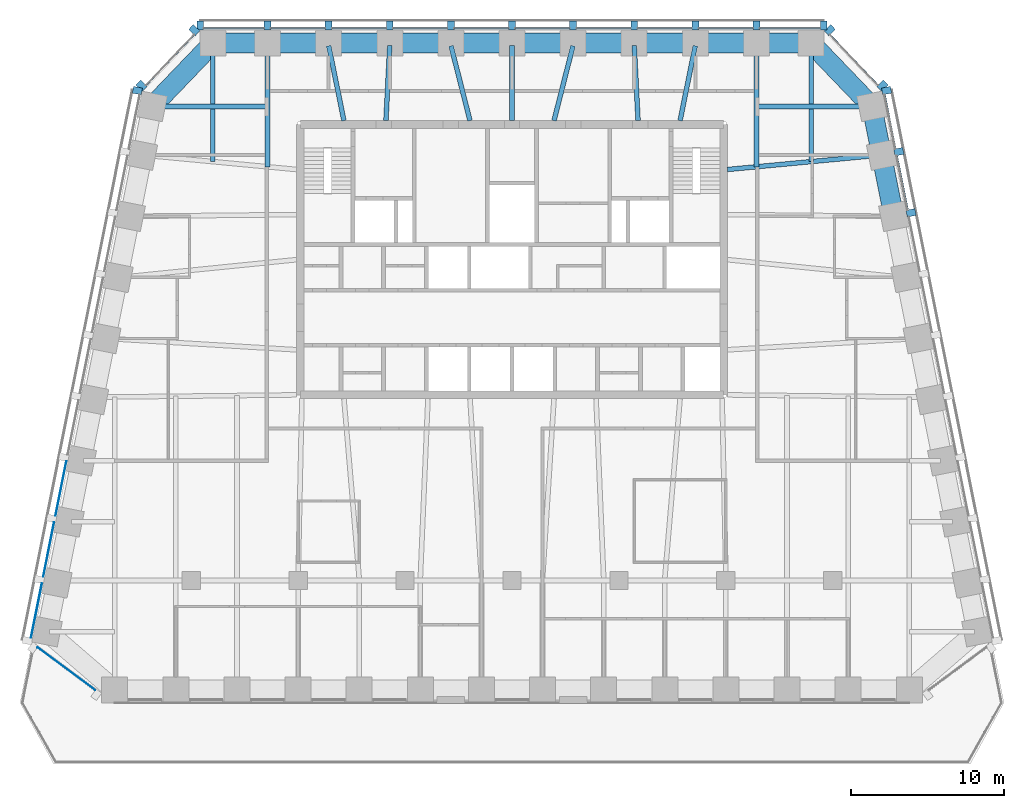
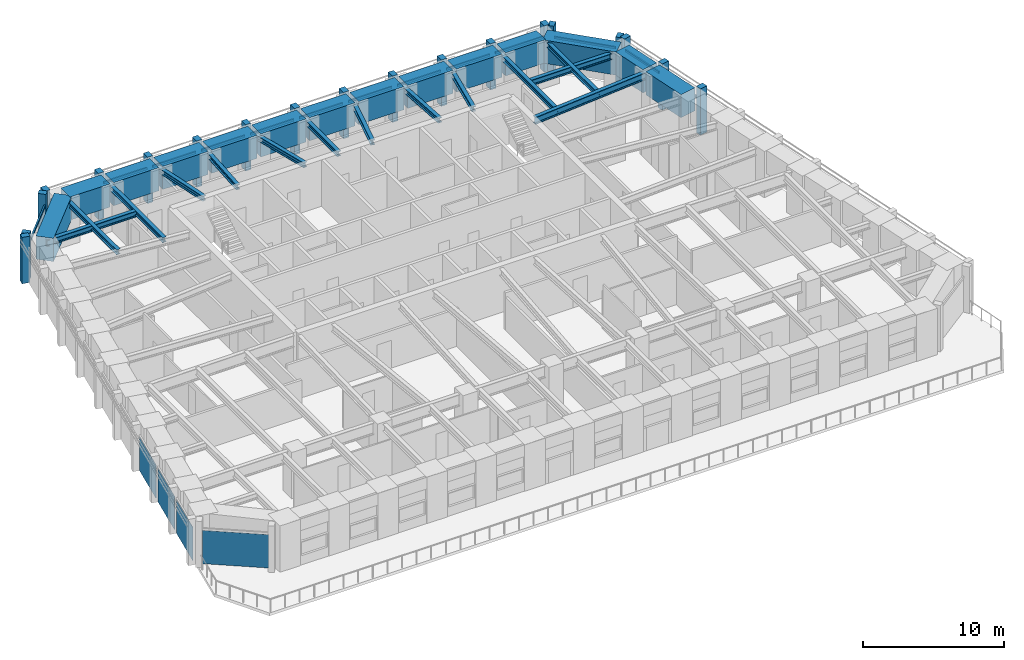
# One storey, part 3 of 10: 33 members, 28 beams, 4 plates, 6 elements without a shape of their own.
"""IFC4 building model written with IfcOpenShell, lengths in metres."""

from ifc_helpers import new_model, si_unit, direction, frame, origin, origin_2d, place, context, subcontext, project, spatial, rectangle, i_section, extrude, material, layer, layer_set, material_profile, profile_set, type_object, element, aggregate, save


model = new_model("IFC4")

# Units and contexts
model_context = context("Model", 3, precision=1e-05, world=origin(), true_north=direction((0.0, 1.0)))
body_context = subcontext(model_context, "Body", "Model", "MODEL_VIEW")
ifc_project = project(units=[si_unit("LENGTHUNIT", "METRE"), si_unit("AREAUNIT", "SQUARE_METRE"), si_unit("VOLUMEUNIT", "CUBIC_METRE"), si_unit("PLANEANGLEUNIT", "RADIAN"), si_unit("MASSUNIT", "GRAM", prefix="KILO")], contexts=[model_context])

# Site, building, storey
site_placement = place(None, origin())
site = spatial("IfcSite", under=ifc_project, at=site_placement, CompositionType="ELEMENT")
building_placement = place(site_placement, origin())
building = spatial("IfcBuilding", under=site, at=building_placement, Name="Isbrekke Arena Tower", CompositionType="ELEMENT")
storey_placement = place(building_placement, frame((0.0, 0.0, 260.0)))
storey = spatial("IfcBuildingStorey", under=building, at=storey_placement, Name="L60", CompositionType="ELEMENT", Elevation=260.0)

# Beams
ifc_material_1 = material(Name="Steel S355", Category="steel")
ifc_material_profile_1 = material_profile(ifc_material_1, i_section(OverallWidth=0.304931640625, OverallDepth=0.6201171875, WebThickness=0.02099609375, FlangeThickness=0.0400390625, FilletRadius=0.027099609375, at=origin_2d()), Name="HEM 600")
ifc_profile_set_1 = profile_set([ifc_material_profile_1], Name="Steel S355")
beam_type_1 = type_object("IfcBeamType", Name="B4 HEM 600", PredefinedType="BEAM", material=ifc_profile_set_1)
beam_1_placement = place(storey_placement, frame((24.02685546875, 21.8369140625, 3.5400390625), z_axis=(-0.995574576627, -0.093974796485, 0.0), x_axis=(0.093974796485, -0.995574576627, 0.0)))
element("IfcBeam", 1, at=beam_1_placement, inside=storey, type_object=beam_type_1, Name="B4 beam E-E09 L60", PredefinedType="BEAM", context=body_context, shape_type="SweptSolid", body=[
    extrude(i_section(OverallWidth=0.304931640625, OverallDepth=0.6201171875, WebThickness=0.02099609375, FlangeThickness=0.0400390625, FilletRadius=0.027099609375, at=origin_2d()), origin(), (0.0, 0.0, 1.0), 9.970947265625),
])
ifc_material_2 = material(Name="Steel S355", Category="steel")
ifc_material_profile_2 = material_profile(ifc_material_2, i_section(OverallWidth=0.305908203125, OverallDepth=0.52392578125, WebThickness=0.02099609375, FlangeThickness=0.0400390625, FilletRadius=0.027099609375, at=origin_2d()), Name="HEM 500")
ifc_profile_set_2 = profile_set([ifc_material_profile_2], Name="Steel S355")
beam_type_2 = type_object("IfcBeamType", Name="B5 HEM 500", PredefinedType="BEAM", material=ifc_profile_set_2)
for number, where, z_axis, x_axis, name in (
    (2, (23.40283203125, 25.029296875, 3.587890625), (-1.0, 0.0, 0.0), (0.0, -1.0, 0.0), "B5 beam E-E10 L60"),
    (3, (-23.40283203125, 25.029296875, 3.587890625), (1.0, 0.0, 0.0), (0.0, 1.0, 0.0), "B5 beam E-W01 L60"),
):
    element("IfcBeam", number, at=place(storey_placement, frame(where, z_axis=z_axis, x_axis=x_axis)), inside=storey, type_object=beam_type_2, Name=name, PredefinedType="BEAM", context=body_context, shape_type="SweptSolid", body=[
        extrude(i_section(OverallWidth=0.305908203125, OverallDepth=0.52392578125, WebThickness=0.02099609375, FlangeThickness=0.0400390625, FilletRadius=0.027099609375, at=origin_2d()), origin(), (0.0, 0.0, 1.0), 7.40283203125),
    ])
ifc_material_3 = material(Name="Steel S355", Category="steel")
ifc_material_profile_3 = material_profile(ifc_material_3, i_section(OverallWidth=0.306884765625, OverallDepth=0.431884765625, WebThickness=0.02099609375, FlangeThickness=0.0400390625, FilletRadius=0.027099609375, at=origin_2d()), Name="HEM 400")
ifc_profile_set_3 = profile_set([ifc_material_profile_3], Name="Steel S355")
beam_type_3 = type_object("IfcBeamType", Name="B6 HEM 400", PredefinedType="BEAM", material=ifc_profile_set_3)
beam_2_placement = place(storey_placement, frame((19.574951171875, 29.02490234375, 3.634033203125), z_axis=(0.0, -1.0, 0.0), x_axis=(1.0, 0.0, 0.0)))
element("IfcBeam", 4, at=beam_2_placement, inside=storey, type_object=beam_type_3, Name="B6 beam N-N01 L60", PredefinedType="BEAM", context=body_context, shape_type="SweptSolid", body=[
    extrude(i_section(OverallWidth=0.306884765625, OverallDepth=0.431884765625, WebThickness=0.02099609375, FlangeThickness=0.0400390625, FilletRadius=0.027099609375, at=origin_2d()), origin(), (0.0, 0.0, 1.0), 7.608154296875),
])
for number, where, z_axis, x_axis, name in (
    (5, (16.0, 29.02490234375, 3.634033203125), (0.0, -1.0, 0.0), (1.0, 0.0, 0.0), "B6 beam N-N02 L60"),
    (6, (-16.0, 29.02490234375, 3.634033203125), (0.0, -1.0, 0.0), (1.0, 0.0, 0.0), "B6 beam N-N10 L60"),
):
    element("IfcBeam", number, at=place(storey_placement, frame(where, z_axis=z_axis, x_axis=x_axis)), inside=storey, type_object=beam_type_3, Name=name, PredefinedType="BEAM", context=body_context, shape_type="SweptSolid", body=[
        extrude(i_section(OverallWidth=0.306884765625, OverallDepth=0.431884765625, WebThickness=0.02099609375, FlangeThickness=0.0400390625, FilletRadius=0.027099609375, at=origin_2d()), origin(), (0.0, 0.0, 1.0), 7.945556640625),
    ])
beam_3_placement = place(storey_placement, frame((-19.574951171875, 29.02490234375, 3.634033203125), z_axis=(0.0, -1.0, 0.0), x_axis=(1.0, 0.0, 0.0)))
element("IfcBeam", 7, at=beam_3_placement, inside=storey, type_object=beam_type_3, Name="B6 beam N-N11 L60", PredefinedType="BEAM", context=body_context, shape_type="SweptSolid", body=[
    extrude(i_section(OverallWidth=0.306884765625, OverallDepth=0.431884765625, WebThickness=0.02099609375, FlangeThickness=0.0400390625, FilletRadius=0.027099609375, at=origin_2d()), origin(), (0.0, 0.0, 1.0), 7.608154296875),
])
beam_4_placement = place(storey_placement, frame((11.993896484375, 28.9951171875, 3.634033203125), z_axis=(-0.198982177337, -0.980003108721, 0.0), x_axis=(0.980003108721, -0.198982177337, 0.0)))
element("IfcBeam", 8, at=beam_4_placement, inside=storey, type_object=beam_type_3, Name="B6 beam N-N03 L60", PredefinedType="BEAM", context=body_context, shape_type="SweptSolid", body=[
    extrude(i_section(OverallWidth=0.306884765625, OverallDepth=0.431884765625, WebThickness=0.02099609375, FlangeThickness=0.0400390625, FilletRadius=0.027099609375, at=origin_2d()), origin(), (0.0, 0.0, 1.0), 4.994873046875),
])
beam_5_placement = place(storey_placement, frame((8.00048828125, 29.017333984375, 3.634033203125), z_axis=(0.050677067868, -0.998715091902, 0.0), x_axis=(0.998715091902, 0.050677067868, 0.0)))
element("IfcBeam", 9, at=beam_5_placement, inside=storey, type_object=beam_type_3, Name="B6 beam N-N04 L60", PredefinedType="BEAM", context=body_context, shape_type="SweptSolid", body=[
    extrude(i_section(OverallWidth=0.306884765625, OverallDepth=0.431884765625, WebThickness=0.02099609375, FlangeThickness=0.0400390625, FilletRadius=0.027099609375, at=origin_2d()), origin(), (0.0, 0.0, 1.0), 4.923583984375),
])
beam_6_placement = place(storey_placement, frame((3.99072265625, 28.98828125, 3.634033203125), z_axis=(-0.246019579109, -0.969264858898, 0.0), x_axis=(0.969264858898, -0.246019579109, 0.0)))
element("IfcBeam", 10, at=beam_6_placement, inside=storey, type_object=beam_type_3, Name="B6 beam N-N05 L60", PredefinedType="BEAM", context=body_context, shape_type="SweptSolid", body=[
    extrude(i_section(OverallWidth=0.306884765625, OverallDepth=0.431884765625, WebThickness=0.02099609375, FlangeThickness=0.0400390625, FilletRadius=0.027099609375, at=origin_2d()), origin(), (0.0, 0.0, 1.0), 5.043212890625),
])
beam_7_placement = place(storey_placement, frame((0.0, 29.02490234375, 3.634033203125), z_axis=(0.0, -1.0, 0.0), x_axis=(1.0, 0.0, 0.0)))
element("IfcBeam", 11, at=beam_7_placement, inside=storey, type_object=beam_type_3, Name="B6 beam N-N06 L60", PredefinedType="BEAM", context=body_context, shape_type="SweptSolid", body=[
    extrude(i_section(OverallWidth=0.306884765625, OverallDepth=0.431884765625, WebThickness=0.02099609375, FlangeThickness=0.0400390625, FilletRadius=0.027099609375, at=origin_2d()), origin(), (0.0, 0.0, 1.0), 4.9248046875),
])
beam_8_placement = place(storey_placement, frame((-3.99072265625, 28.98828125, 3.634033203125), z_axis=(0.246019579109, -0.969264858898, 0.0), x_axis=(0.969264858898, 0.246019579109, 0.0)))
element("IfcBeam", 12, at=beam_8_placement, inside=storey, type_object=beam_type_3, Name="B6 beam N-N07 L60", PredefinedType="BEAM", context=body_context, shape_type="SweptSolid", body=[
    extrude(i_section(OverallWidth=0.306884765625, OverallDepth=0.431884765625, WebThickness=0.02099609375, FlangeThickness=0.0400390625, FilletRadius=0.027099609375, at=origin_2d()), origin(), (0.0, 0.0, 1.0), 5.043212890625),
])
beam_9_placement = place(storey_placement, frame((-8.00048828125, 29.017333984375, 3.634033203125), z_axis=(-0.050677067868, -0.998715091902, 0.0), x_axis=(0.998715091902, -0.050677067868, 0.0)))
element("IfcBeam", 13, at=beam_9_placement, inside=storey, type_object=beam_type_3, Name="B6 beam N-N08 L60", PredefinedType="BEAM", context=body_context, shape_type="SweptSolid", body=[
    extrude(i_section(OverallWidth=0.306884765625, OverallDepth=0.431884765625, WebThickness=0.02099609375, FlangeThickness=0.0400390625, FilletRadius=0.027099609375, at=origin_2d()), origin(), (0.0, 0.0, 1.0), 4.923583984375),
])
beam_10_placement = place(storey_placement, frame((-11.993896484375, 28.9951171875, 3.634033203125), z_axis=(0.198982177337, -0.980003108721, 0.0), x_axis=(0.980003108721, 0.198982177337, 0.0)))
element("IfcBeam", 14, at=beam_10_placement, inside=storey, type_object=beam_type_3, Name="B6 beam N-N09 L60", PredefinedType="BEAM", context=body_context, shape_type="SweptSolid", body=[
    extrude(i_section(OverallWidth=0.306884765625, OverallDepth=0.431884765625, WebThickness=0.02099609375, FlangeThickness=0.0400390625, FilletRadius=0.027099609375, at=origin_2d()), origin(), (0.0, 0.0, 1.0), 4.994873046875),
])

# Curtain wall, members
ifc_material_4 = material(Name="Glazed aluminium curtain wall", Category="aluminium")
curtain_wall_type = type_object("IfcCurtainWallType", Name="CWT TOWER CURTAIN WALL TOP ZONE", PredefinedType="USERDEFINED", material=ifc_material_4)
curtain_wall_1_placement = place(storey_placement, origin())
curtain_wall_1 = element("IfcCurtainWall", 15, at=curtain_wall_1_placement, inside=storey, type_object=curtain_wall_type, Name="CWT curtain wall L60-E", ObjectType="TOWER CURTAIN WALL TOP ZONE", PredefinedType="USERDEFINED")
ifc_material_5 = material(Name="Copper-clad aluminium mullion", Category="aluminium")
ifc_material_profile_4 = material_profile(ifc_material_5, rectangle(XDim=0.449951171875, YDim=0.60009765625, at=origin_2d()), Name="PIER 450X600")
ifc_profile_set_4 = profile_set([ifc_material_profile_4], Name="Copper-clad aluminium mullion")
member_type_1 = type_object("IfcMemberType", Name="CWT-M PIER MULLION 450 x 600", PredefinedType="MULLION", material=ifc_profile_set_4)
member_1_placement = place(storey_placement, frame((26.11865234375, 18.063720703125, 0.0), z_axis=(0.0, 0.0, 1.0), x_axis=(-0.196116135138, 0.980580675691, 0.0)))
member_1 = element("IfcMember", 16, at=member_1_placement, type_object=member_type_1, Name="CWT-M mullion 8", PredefinedType="MULLION", context=body_context, shape_type="SweptSolid", body=[
    extrude(rectangle(XDim=0.449951171875, YDim=0.60009765625, at=origin_2d()), origin(), (0.0, 0.0, 1.0), 4.0),
])
member_2_placement = place(storey_placement, frame((25.318603515625, 22.063720703125, 0.0), z_axis=(0.0, 0.0, 1.0), x_axis=(-0.196116135138, 0.980580675691, 0.0)))
member_2 = element("IfcMember", 17, at=member_2_placement, type_object=member_type_1, Name="CWT-M mullion 9", PredefinedType="MULLION", context=body_context, shape_type="SweptSolid", body=[
    extrude(rectangle(XDim=0.449951171875, YDim=0.60009765625, at=origin_2d()), origin(), (0.0, 0.0, 1.0), 4.0),
])
member_3_placement = place(storey_placement, frame((24.518798828125, 26.063720703125, 0.0), z_axis=(0.0, 0.0, 1.0), x_axis=(-0.196116135138, 0.980580675691, 0.0)))
member_3 = element("IfcMember", 18, at=member_3_placement, type_object=member_type_1, Name="CWT-M mullion 10", PredefinedType="MULLION", context=body_context, shape_type="SweptSolid", body=[
    extrude(rectangle(XDim=0.449951171875, YDim=0.60009765625, at=origin_2d()), origin(), (0.0, 0.0, 1.0), 4.0),
])

curtain_wall_2_placement = place(storey_placement, origin())
curtain_wall_2 = element("IfcCurtainWall", 19, at=curtain_wall_2_placement, inside=storey, type_object=curtain_wall_type, Name="CWT curtain wall L60-EN", ObjectType="TOWER CURTAIN WALL TOP ZONE", PredefinedType="USERDEFINED")
member_4_placement = place(storey_placement, frame((24.244384765625, 26.388671875, 0.0), z_axis=(0.0, 0.0, 1.0), x_axis=(-0.68874946192, 0.72499943359, 0.0)))
member_4 = element("IfcMember", 20, at=member_4_placement, type_object=member_type_1, Name="CWT-M mullion 1", PredefinedType="MULLION", context=body_context, shape_type="SweptSolid", body=[
    extrude(rectangle(XDim=0.449951171875, YDim=0.60009765625, at=origin_2d()), origin(), (0.0, 0.0, 1.0), 4.0),
])
member_5_placement = place(storey_placement, frame((20.795166015625, 30.019775390625, 0.0), z_axis=(0.0, 0.0, 1.0), x_axis=(-0.68874946192, 0.72499943359, 0.0)))
member_5 = element("IfcMember", 21, at=member_5_placement, type_object=member_type_1, Name="CWT-M mullion 2", PredefinedType="MULLION", context=body_context, shape_type="SweptSolid", body=[
    extrude(rectangle(XDim=0.449951171875, YDim=0.60009765625, at=origin_2d()), origin(), (0.0, 0.0, 1.0), 4.0),
])

curtain_wall_3_placement = place(storey_placement, origin())
curtain_wall_3 = element("IfcCurtainWall", 22, at=curtain_wall_3_placement, inside=storey, type_object=curtain_wall_type, Name="CWT curtain wall L60-N", ObjectType="TOWER CURTAIN WALL TOP ZONE", PredefinedType="USERDEFINED")
member_6_placement = place(storey_placement, frame((20.39990234375, 30.324951171875, 0.0), z_axis=(0.0, 0.0, 1.0), x_axis=(-1.0, 0.0, 0.0)))
member_6 = element("IfcMember", 23, at=member_6_placement, type_object=member_type_1, Name="CWT-M mullion 1", PredefinedType="MULLION", context=body_context, shape_type="SweptSolid", body=[
    extrude(rectangle(XDim=0.449951171875, YDim=0.60009765625, at=origin_2d()), origin(), (0.0, 0.0, 1.0), 4.0),
])
member_7_placement = place(storey_placement, frame((16.0, 30.324951171875, 0.0), z_axis=(0.0, 0.0, 1.0), x_axis=(-1.0, 0.0, 0.0)))
member_7 = element("IfcMember", 24, at=member_7_placement, type_object=member_type_1, Name="CWT-M mullion 2", PredefinedType="MULLION", context=body_context, shape_type="SweptSolid", body=[
    extrude(rectangle(XDim=0.449951171875, YDim=0.60009765625, at=origin_2d()), origin(), (0.0, 0.0, 1.0), 4.0),
])
member_8_placement = place(storey_placement, frame((12.0, 30.324951171875, 0.0), z_axis=(0.0, 0.0, 1.0), x_axis=(-1.0, 0.0, 0.0)))
member_8 = element("IfcMember", 25, at=member_8_placement, type_object=member_type_1, Name="CWT-M mullion 3", PredefinedType="MULLION", context=body_context, shape_type="SweptSolid", body=[
    extrude(rectangle(XDim=0.449951171875, YDim=0.60009765625, at=origin_2d()), origin(), (0.0, 0.0, 1.0), 4.0),
])
member_9_placement = place(storey_placement, frame((8.0, 30.324951171875, 0.0), z_axis=(0.0, 0.0, 1.0), x_axis=(-1.0, 0.0, 0.0)))
member_9 = element("IfcMember", 26, at=member_9_placement, type_object=member_type_1, Name="CWT-M mullion 4", PredefinedType="MULLION", context=body_context, shape_type="SweptSolid", body=[
    extrude(rectangle(XDim=0.449951171875, YDim=0.60009765625, at=origin_2d()), origin(), (0.0, 0.0, 1.0), 4.0),
])
member_10_placement = place(storey_placement, frame((4.0, 30.324951171875, 0.0), z_axis=(0.0, 0.0, 1.0), x_axis=(-1.0, 0.0, 0.0)))
member_10 = element("IfcMember", 27, at=member_10_placement, type_object=member_type_1, Name="CWT-M mullion 5", PredefinedType="MULLION", context=body_context, shape_type="SweptSolid", body=[
    extrude(rectangle(XDim=0.449951171875, YDim=0.60009765625, at=origin_2d()), origin(), (0.0, 0.0, 1.0), 4.0),
])
member_11_placement = place(storey_placement, frame((0.0, 30.324951171875, 0.0), z_axis=(0.0, 0.0, 1.0), x_axis=(-1.0, 0.0, 0.0)))
member_11 = element("IfcMember", 28, at=member_11_placement, type_object=member_type_1, Name="CWT-M mullion 6", PredefinedType="MULLION", context=body_context, shape_type="SweptSolid", body=[
    extrude(rectangle(XDim=0.449951171875, YDim=0.60009765625, at=origin_2d()), origin(), (0.0, 0.0, 1.0), 4.0),
])
member_12_placement = place(storey_placement, frame((-4.0, 30.324951171875, 0.0), z_axis=(0.0, 0.0, 1.0), x_axis=(-1.0, 0.0, 0.0)))
member_12 = element("IfcMember", 29, at=member_12_placement, type_object=member_type_1, Name="CWT-M mullion 7", PredefinedType="MULLION", context=body_context, shape_type="SweptSolid", body=[
    extrude(rectangle(XDim=0.449951171875, YDim=0.60009765625, at=origin_2d()), origin(), (0.0, 0.0, 1.0), 4.0),
])
member_13_placement = place(storey_placement, frame((-8.0, 30.324951171875, 0.0), z_axis=(0.0, 0.0, 1.0), x_axis=(-1.0, 0.0, 0.0)))
member_13 = element("IfcMember", 30, at=member_13_placement, type_object=member_type_1, Name="CWT-M mullion 8", PredefinedType="MULLION", context=body_context, shape_type="SweptSolid", body=[
    extrude(rectangle(XDim=0.449951171875, YDim=0.60009765625, at=origin_2d()), origin(), (0.0, 0.0, 1.0), 4.0),
])
member_14_placement = place(storey_placement, frame((-12.0, 30.324951171875, 0.0), z_axis=(0.0, 0.0, 1.0), x_axis=(-1.0, 0.0, 0.0)))
member_14 = element("IfcMember", 31, at=member_14_placement, type_object=member_type_1, Name="CWT-M mullion 9", PredefinedType="MULLION", context=body_context, shape_type="SweptSolid", body=[
    extrude(rectangle(XDim=0.449951171875, YDim=0.60009765625, at=origin_2d()), origin(), (0.0, 0.0, 1.0), 4.0),
])
member_15_placement = place(storey_placement, frame((-16.0, 30.324951171875, 0.0), z_axis=(0.0, 0.0, 1.0), x_axis=(-1.0, 0.0, 0.0)))
member_15 = element("IfcMember", 32, at=member_15_placement, type_object=member_type_1, Name="CWT-M mullion 10", PredefinedType="MULLION", context=body_context, shape_type="SweptSolid", body=[
    extrude(rectangle(XDim=0.449951171875, YDim=0.60009765625, at=origin_2d()), origin(), (0.0, 0.0, 1.0), 4.0),
])
member_16_placement = place(storey_placement, frame((-20.39990234375, 30.324951171875, 0.0), z_axis=(0.0, 0.0, 1.0), x_axis=(-1.0, 0.0, 0.0)))
member_16 = element("IfcMember", 33, at=member_16_placement, type_object=member_type_1, Name="CWT-M mullion 11", PredefinedType="MULLION", context=body_context, shape_type="SweptSolid", body=[
    extrude(rectangle(XDim=0.449951171875, YDim=0.60009765625, at=origin_2d()), origin(), (0.0, 0.0, 1.0), 4.0),
])

curtain_wall_4_placement = place(storey_placement, origin())
curtain_wall_4 = element("IfcCurtainWall", 34, at=curtain_wall_4_placement, inside=storey, type_object=curtain_wall_type, Name="CWT curtain wall L60-NW", ObjectType="TOWER CURTAIN WALL TOP ZONE", PredefinedType="USERDEFINED")
member_17_placement = place(storey_placement, frame((-20.795166015625, 30.01953125, 0.0), z_axis=(0.0, 0.0, 1.0), x_axis=(-0.68874946192, -0.72499943359, 0.0)))
member_17 = element("IfcMember", 35, at=member_17_placement, type_object=member_type_1, Name="CWT-M mullion 1", PredefinedType="MULLION", context=body_context, shape_type="SweptSolid", body=[
    extrude(rectangle(XDim=0.449951171875, YDim=0.60009765625, at=origin_2d()), origin(), (0.0, 0.0, 1.0), 4.0),
])
member_18_placement = place(storey_placement, frame((-24.243896484375, 26.389404296875, 0.0), z_axis=(0.0, 0.0, 1.0), x_axis=(-0.68874946192, -0.72499943359, 0.0)))
member_18 = element("IfcMember", 36, at=member_18_placement, type_object=member_type_1, Name="CWT-M mullion 2", PredefinedType="MULLION", context=body_context, shape_type="SweptSolid", body=[
    extrude(rectangle(XDim=0.449951171875, YDim=0.60009765625, at=origin_2d()), origin(), (0.0, 0.0, 1.0), 4.0),
])

# Curtain wall, member
curtain_wall_5_placement = place(storey_placement, origin())
curtain_wall_5 = element("IfcCurtainWall", 37, at=curtain_wall_5_placement, inside=storey, type_object=curtain_wall_type, Name="CWT curtain wall L60-W", ObjectType="TOWER CURTAIN WALL TOP ZONE", PredefinedType="USERDEFINED")
member_19_placement = place(storey_placement, frame((-24.518798828125, 26.063720703125, 0.0), z_axis=(0.0, 0.0, 1.0), x_axis=(-0.196116135138, -0.980580675691, 0.0)))
member_19 = element("IfcMember", 38, at=member_19_placement, type_object=member_type_1, Name="CWT-M mullion 1", PredefinedType="MULLION", context=body_context, shape_type="SweptSolid", body=[
    extrude(rectangle(XDim=0.449951171875, YDim=0.60009765625, at=origin_2d()), origin(), (0.0, 0.0, 1.0), 4.0),
])

# Member
ifc_material_6 = material(Name="Aluminium transom", Category="aluminium")
ifc_material_profile_5 = material_profile(ifc_material_6, rectangle(XDim=0.1201171875, YDim=0.199951171875, at=origin_2d()), Name="TRANSOM 120X200")
ifc_profile_set_5 = profile_set([ifc_material_profile_5], Name="Aluminium transom")
member_type_2 = type_object("IfcMemberType", Name="CWT-T TRANSOM 120 x 200", PredefinedType="USERDEFINED", material=ifc_profile_set_5)
member_20_placement = place(storey_placement, frame((25.87841796875, 18.2451171875, 3.0), z_axis=(-0.196090262229, 0.980585849918, 0.0), x_axis=(-0.980585849918, -0.196090262229, 0.0)))
member_20 = element("IfcMember", 39, at=member_20_placement, type_object=member_type_2, Name="CWT-T transom 8", ObjectType="TRANSOM", PredefinedType="USERDEFINED", context=body_context, shape_type="SweptSolid", body=[
    extrude(rectangle(XDim=0.1201171875, YDim=0.199951171875, at=origin_2d()), origin(), (0.0, 0.0, 1.0), 3.62939453125),
])

member_21_placement = place(storey_placement, frame((25.078369140625, 22.2451171875, 3.0), z_axis=(-0.196090262229, 0.980585849918, 0.0), x_axis=(-0.980585849918, -0.196090262229, 0.0)))
member_21 = element("IfcMember", 40, at=member_21_placement, type_object=member_type_2, Name="CWT-T transom 9", ObjectType="TRANSOM", PredefinedType="USERDEFINED", context=body_context, shape_type="SweptSolid", body=[
    extrude(rectangle(XDim=0.1201171875, YDim=0.199951171875, at=origin_2d()), origin(), (0.0, 0.0, 1.0), 3.62939453125),
])

aggregate(curtain_wall_1, [member_1, member_2, member_3, member_20, member_21])

member_22_placement = place(storey_placement, frame((23.944580078125, 26.4140625, 3.0), z_axis=(-0.688771983213, 0.724978037696, 0.0), x_axis=(-0.724978037696, -0.688771983213, 0.0)))
member_22 = element("IfcMember", 41, at=member_22_placement, type_object=member_type_2, Name="CWT-T transom 1", ObjectType="TRANSOM", PredefinedType="USERDEFINED", context=body_context, shape_type="SweptSolid", body=[
    extrude(rectangle(XDim=0.1201171875, YDim=0.199951171875, at=origin_2d()), origin(), (0.0, 0.0, 1.0), 4.558349609375),
])

aggregate(curtain_wall_2, [member_4, member_5, member_22])

member_23_placement = place(storey_placement, frame((20.175048828125, 30.125, 3.0), z_axis=(-1.0, 0.0, 0.0), x_axis=(0.0, -1.0, 0.0)))
member_23 = element("IfcMember", 42, at=member_23_placement, type_object=member_type_2, Name="CWT-T transom 1", ObjectType="TRANSOM", PredefinedType="USERDEFINED", context=body_context, shape_type="SweptSolid", body=[
    extrude(rectangle(XDim=0.1201171875, YDim=0.199951171875, at=origin_2d()), origin(), (0.0, 0.0, 1.0), 3.949951171875),
])

member_24_placement = place(storey_placement, frame((15.77490234375, 30.125, 3.0), z_axis=(-1.0, 0.0, 0.0), x_axis=(0.0, -1.0, 0.0)))
member_24 = element("IfcMember", 43, at=member_24_placement, type_object=member_type_2, Name="CWT-T transom 2", ObjectType="TRANSOM", PredefinedType="USERDEFINED", context=body_context, shape_type="SweptSolid", body=[
    extrude(rectangle(XDim=0.1201171875, YDim=0.199951171875, at=origin_2d()), origin(), (0.0, 0.0, 1.0), 3.5498046875),
])

member_25_placement = place(storey_placement, frame((11.77490234375, 30.125, 3.0), z_axis=(-1.0, 0.0, 0.0), x_axis=(0.0, -1.0, 0.0)))
member_25 = element("IfcMember", 44, at=member_25_placement, type_object=member_type_2, Name="CWT-T transom 3", ObjectType="TRANSOM", PredefinedType="USERDEFINED", context=body_context, shape_type="SweptSolid", body=[
    extrude(rectangle(XDim=0.1201171875, YDim=0.199951171875, at=origin_2d()), origin(), (0.0, 0.0, 1.0), 3.5498046875),
])

member_26_placement = place(storey_placement, frame((7.77490234375, 30.125, 3.0), z_axis=(-1.0, 0.0, 0.0), x_axis=(0.0, -1.0, 0.0)))
member_26 = element("IfcMember", 45, at=member_26_placement, type_object=member_type_2, Name="CWT-T transom 4", ObjectType="TRANSOM", PredefinedType="USERDEFINED", context=body_context, shape_type="SweptSolid", body=[
    extrude(rectangle(XDim=0.1201171875, YDim=0.199951171875, at=origin_2d()), origin(), (0.0, 0.0, 1.0), 3.5498046875),
])

member_27_placement = place(storey_placement, frame((3.77490234375, 30.125, 3.0), z_axis=(-1.0, 0.0, 0.0), x_axis=(0.0, -1.0, 0.0)))
member_27 = element("IfcMember", 46, at=member_27_placement, type_object=member_type_2, Name="CWT-T transom 5", ObjectType="TRANSOM", PredefinedType="USERDEFINED", context=body_context, shape_type="SweptSolid", body=[
    extrude(rectangle(XDim=0.1201171875, YDim=0.199951171875, at=origin_2d()), origin(), (0.0, 0.0, 1.0), 3.5498046875),
])

member_28_placement = place(storey_placement, frame((-0.22509765625, 30.125, 3.0), z_axis=(-1.0, 0.0, 0.0), x_axis=(0.0, -1.0, 0.0)))
member_28 = element("IfcMember", 47, at=member_28_placement, type_object=member_type_2, Name="CWT-T transom 6", ObjectType="TRANSOM", PredefinedType="USERDEFINED", context=body_context, shape_type="SweptSolid", body=[
    extrude(rectangle(XDim=0.1201171875, YDim=0.199951171875, at=origin_2d()), origin(), (0.0, 0.0, 1.0), 3.5498046875),
])

member_29_placement = place(storey_placement, frame((-4.22509765625, 30.125, 3.0), z_axis=(-1.0, 0.0, 0.0), x_axis=(0.0, -1.0, 0.0)))
member_29 = element("IfcMember", 48, at=member_29_placement, type_object=member_type_2, Name="CWT-T transom 7", ObjectType="TRANSOM", PredefinedType="USERDEFINED", context=body_context, shape_type="SweptSolid", body=[
    extrude(rectangle(XDim=0.1201171875, YDim=0.199951171875, at=origin_2d()), origin(), (0.0, 0.0, 1.0), 3.5498046875),
])

member_30_placement = place(storey_placement, frame((-8.22509765625, 30.125, 3.0), z_axis=(-1.0, 0.0, 0.0), x_axis=(0.0, -1.0, 0.0)))
member_30 = element("IfcMember", 49, at=member_30_placement, type_object=member_type_2, Name="CWT-T transom 8", ObjectType="TRANSOM", PredefinedType="USERDEFINED", context=body_context, shape_type="SweptSolid", body=[
    extrude(rectangle(XDim=0.1201171875, YDim=0.199951171875, at=origin_2d()), origin(), (0.0, 0.0, 1.0), 3.5498046875),
])

member_31_placement = place(storey_placement, frame((-12.22509765625, 30.125, 3.0), z_axis=(-1.0, 0.0, 0.0), x_axis=(0.0, -1.0, 0.0)))
member_31 = element("IfcMember", 50, at=member_31_placement, type_object=member_type_2, Name="CWT-T transom 9", ObjectType="TRANSOM", PredefinedType="USERDEFINED", context=body_context, shape_type="SweptSolid", body=[
    extrude(rectangle(XDim=0.1201171875, YDim=0.199951171875, at=origin_2d()), origin(), (0.0, 0.0, 1.0), 3.5498046875),
])

member_32_placement = place(storey_placement, frame((-16.22509765625, 30.125, 3.0), z_axis=(-1.0, 0.0, 0.0), x_axis=(0.0, -1.0, 0.0)))
member_32 = element("IfcMember", 51, at=member_32_placement, type_object=member_type_2, Name="CWT-T transom 10", ObjectType="TRANSOM", PredefinedType="USERDEFINED", context=body_context, shape_type="SweptSolid", body=[
    extrude(rectangle(XDim=0.1201171875, YDim=0.199951171875, at=origin_2d()), origin(), (0.0, 0.0, 1.0), 3.949951171875),
])

aggregate(curtain_wall_3, [member_6, member_7, member_8, member_9, member_10, member_11, member_12, member_13, member_14, member_15, member_16, member_23, member_24, member_25, member_26, member_27, member_28, member_29, member_30, member_31, member_32])

member_33_placement = place(storey_placement, frame((-20.80517578125, 29.71875, 3.0), z_axis=(-0.688739606035, -0.725008796552, 0.0), x_axis=(0.725008796552, -0.688739606035, 0.0)))
member_33 = element("IfcMember", 52, at=member_33_placement, type_object=member_type_2, Name="CWT-T transom 1", ObjectType="TRANSOM", PredefinedType="USERDEFINED", context=body_context, shape_type="SweptSolid", body=[
    extrude(rectangle(XDim=0.1201171875, YDim=0.199951171875, at=origin_2d()), origin(), (0.0, 0.0, 1.0), 4.55712890625),
])

aggregate(curtain_wall_4, [member_17, member_18, member_33])

# Beams
ifc_material_7 = material(Name="Concrete B55 (C55/67)", Category="concrete")
ifc_material_profile_6 = material_profile(ifc_material_7, rectangle(XDim=1.300048828125, YDim=2.0, at=origin_2d()), Name="RC 1300x2000")
ifc_profile_set_6 = profile_set([ifc_material_profile_6], Name="Concrete B55 (C55/67)")
beam_type_4 = type_object("IfcBeamType", Name="SB4 RC 1300 x 2000", PredefinedType="SPANDREL", material=ifc_profile_set_6)
beam_11_placement = place(storey_placement, frame((24.961669921875, 17.9853515625, 3.0), z_axis=(-0.196128558387, 0.980578190959, 0.0), x_axis=(-0.980578190959, -0.196128558387, 0.0)))
element("IfcBeam", 53, at=beam_11_placement, inside=storey, type_object=beam_type_4, Name="SB4 spandrel E08-E09 L60", PredefinedType="SPANDREL", context=body_context, shape_type="SweptSolid", body=[
    extrude(rectangle(XDim=1.300048828125, YDim=2.0, at=origin_2d()), origin(), (0.0, 0.0, 1.0), 3.779296875),
])
beam_12_placement = place(storey_placement, frame((24.16162109375, 21.9853515625, 3.0), z_axis=(-0.196116135138, 0.980580675691, 0.0), x_axis=(-0.980580675691, -0.196116135138, 0.0)))
element("IfcBeam", 54, at=beam_12_placement, inside=storey, type_object=beam_type_4, Name="SB4 spandrel E09-E10 L60", PredefinedType="SPANDREL", context=body_context, shape_type="SweptSolid", body=[
    extrude(rectangle(XDim=1.300048828125, YDim=2.0, at=origin_2d()), origin(), (0.0, 0.0, 1.0), 2.9541015625),
])
beam_13_placement = place(storey_placement, frame((23.448974609375, 25.137451171875, 3.0), z_axis=(-0.692339547635, 0.721571861134, 0.0), x_axis=(-0.721571861134, -0.692339547635, 0.0)))
element("IfcBeam", 55, at=beam_13_placement, inside=storey, type_object=beam_type_4, Name="SB4 spandrel E10-N01 L60", PredefinedType="SPANDREL", context=body_context, shape_type="SweptSolid", body=[
    extrude(rectangle(XDim=1.300048828125, YDim=2.0, at=origin_2d()), origin(), (0.0, 0.0, 1.0), 5.4453125),
])
beam_14_placement = place(storey_placement, frame((19.425048828125, 29.175048828125, 3.0), z_axis=(-1.0, 0.0, 0.0), x_axis=(0.0, -1.0, 0.0)))
element("IfcBeam", 56, at=beam_14_placement, inside=storey, type_object=beam_type_4, Name="SB4 spandrel N01-N02 L60", PredefinedType="SPANDREL", context=body_context, shape_type="SweptSolid", body=[
    extrude(rectangle(XDim=1.300048828125, YDim=2.0, at=origin_2d()), origin(), (0.0, 0.0, 1.0), 3.275146484375),
])
for number, where, z_axis, x_axis, name in (
    (57, (15.85009765625, 29.175048828125, 3.0), (-1.0, 0.0, 0.0), (0.0, -1.0, 0.0), "SB4 spandrel N02-N03 L60"),
    (58, (11.85009765625, 29.175048828125, 3.0), (-1.0, 0.0, 0.0), (0.0, -1.0, 0.0), "SB4 spandrel N03-N04 L60"),
    (59, (7.85009765625, 29.175048828125, 3.0), (-1.0, 0.0, 0.0), (0.0, -1.0, 0.0), "SB4 spandrel N04-N05 L60"),
    (60, (3.85009765625, 29.175048828125, 3.0), (-1.0, 0.0, 0.0), (0.0, -1.0, 0.0), "SB4 spandrel N05-N06 L60"),
    (61, (-0.14990234375, 29.175048828125, 3.0), (-1.0, 0.0, 0.0), (0.0, -1.0, 0.0), "SB4 spandrel N06-N07 L60"),
    (62, (-4.14990234375, 29.175048828125, 3.0), (-1.0, 0.0, 0.0), (0.0, -1.0, 0.0), "SB4 spandrel N07-N08 L60"),
    (63, (-8.14990234375, 29.175048828125, 3.0), (-1.0, 0.0, 0.0), (0.0, -1.0, 0.0), "SB4 spandrel N08-N09 L60"),
    (64, (-12.14990234375, 29.175048828125, 3.0), (-1.0, 0.0, 0.0), (0.0, -1.0, 0.0), "SB4 spandrel N09-N10 L60"),
):
    element("IfcBeam", number, at=place(storey_placement, frame(where, z_axis=z_axis, x_axis=x_axis)), inside=storey, type_object=beam_type_4, Name=name, PredefinedType="SPANDREL", context=body_context, shape_type="SweptSolid", body=[
        extrude(rectangle(XDim=1.300048828125, YDim=2.0, at=origin_2d()), origin(), (0.0, 0.0, 1.0), 3.7001953125),
    ])
beam_15_placement = place(storey_placement, frame((-16.14990234375, 29.175048828125, 3.0), z_axis=(-1.0, 0.0, 0.0), x_axis=(0.0, -1.0, 0.0)))
element("IfcBeam", 65, at=beam_15_placement, inside=storey, type_object=beam_type_4, Name="SB4 spandrel N10-N11 L60", PredefinedType="SPANDREL", context=body_context, shape_type="SweptSolid", body=[
    extrude(rectangle(XDim=1.300048828125, YDim=2.0, at=origin_2d()), origin(), (0.0, 0.0, 1.0), 3.275146484375),
])
beam_16_placement = place(storey_placement, frame((-19.678955078125, 29.066650390625, 3.0), z_axis=(-0.692339547635, -0.721571861134, 0.0), x_axis=(0.721571861134, -0.692339547635, 0.0)))
element("IfcBeam", 66, at=beam_16_placement, inside=storey, type_object=beam_type_4, Name="SB4 spandrel N11-W01 L60", PredefinedType="SPANDREL", context=body_context, shape_type="SweptSolid", body=[
    extrude(rectangle(XDim=1.300048828125, YDim=2.0, at=origin_2d()), origin(), (0.0, 0.0, 1.0), 5.4453125),
])

# Plate
ifc_material_8 = material(Name="Triple-glazed clear glass unit", Category="glass")
ifc_layer = layer(ifc_material_8, 0.031982421875)
ifc_layer_set = layer_set([ifc_layer], Name="CWT-P VISION PANEL")
plate_type = type_object("IfcPlateType", Name="CWT-P VISION PANEL", PredefinedType="CURTAIN_PANEL", material=ifc_layer_set)
plate_1_placement = place(storey_placement, frame((-29.5224609375, 0.0244140625, 0.02001953125), z_axis=(0.0, 0.0, 1.0), x_axis=(-0.196116135138, -0.980580675691, 0.0)))
plate_1 = element("IfcPlate", 67, at=plate_1_placement, type_object=plate_type, Name="CWT-P panel 7", PredefinedType="CURTAIN_PANEL", context=body_context, shape_type="SweptSolid", body=[
    extrude(rectangle(XDim=3.629150390625, YDim=0.031982421875, at=origin_2d()), origin(), (0.0, 0.0, 1.0), 2.8798828125),
])

plate_2_placement = place(storey_placement, frame((-30.322509765625, -3.9755859375, 0.02001953125), z_axis=(0.0, 0.0, 1.0), x_axis=(-0.196116135138, -0.980580675691, 0.0)))
plate_2 = element("IfcPlate", 68, at=plate_2_placement, type_object=plate_type, Name="CWT-P panel 8", PredefinedType="CURTAIN_PANEL", context=body_context, shape_type="SweptSolid", body=[
    extrude(rectangle(XDim=3.629150390625, YDim=0.031982421875, at=origin_2d()), origin(), (0.0, 0.0, 1.0), 2.8798828125),
])

plate_3_placement = place(storey_placement, frame((-31.12255859375, -7.9755859375, 0.02001953125), z_axis=(0.0, 0.0, 1.0), x_axis=(-0.196116135138, -0.980580675691, 0.0)))
plate_3 = element("IfcPlate", 69, at=plate_3_placement, type_object=plate_type, Name="CWT-P panel 9", PredefinedType="CURTAIN_PANEL", context=body_context, shape_type="SweptSolid", body=[
    extrude(rectangle(XDim=3.629150390625, YDim=0.031982421875, at=origin_2d()), origin(), (0.0, 0.0, 1.0), 2.8798828125),
])

aggregate(curtain_wall_5, [member_19, plate_1, plate_2, plate_3])

# Curtain wall, plate
curtain_wall_6_placement = place(storey_placement, origin())
curtain_wall_6 = element("IfcCurtainWall", 70, at=curtain_wall_6_placement, inside=storey, type_object=curtain_wall_type, Name="CWT curtain wall L60-WS", ObjectType="TOWER CURTAIN WALL TOP ZONE", PredefinedType="USERDEFINED")
plate_4_placement = place(storey_placement, frame((-29.162109375, -11.781982421875, 0.02001953125), z_axis=(0.0, 0.0, 1.0), x_axis=(0.803557193345, -0.595227550626, 0.0)))
plate_4 = element("IfcPlate", 71, at=plate_4_placement, type_object=plate_type, Name="CWT-P panel 1", PredefinedType="CURTAIN_PANEL", context=body_context, shape_type="SweptSolid", body=[
    extrude(rectangle(XDim=4.7119140625, YDim=0.031982421875, at=origin_2d()), origin(), (0.0, 0.0, 1.0), 2.8798828125),
])
aggregate(curtain_wall_6, [plate_4])

save(model, "model.ifc")
